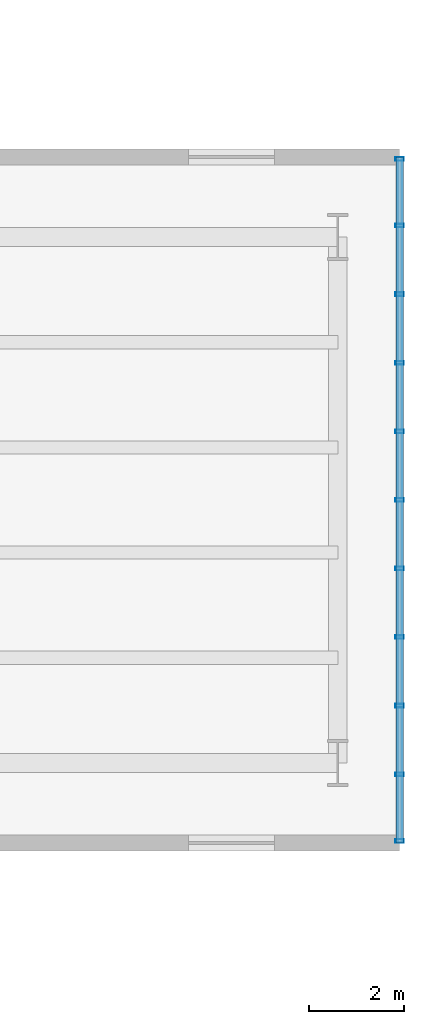
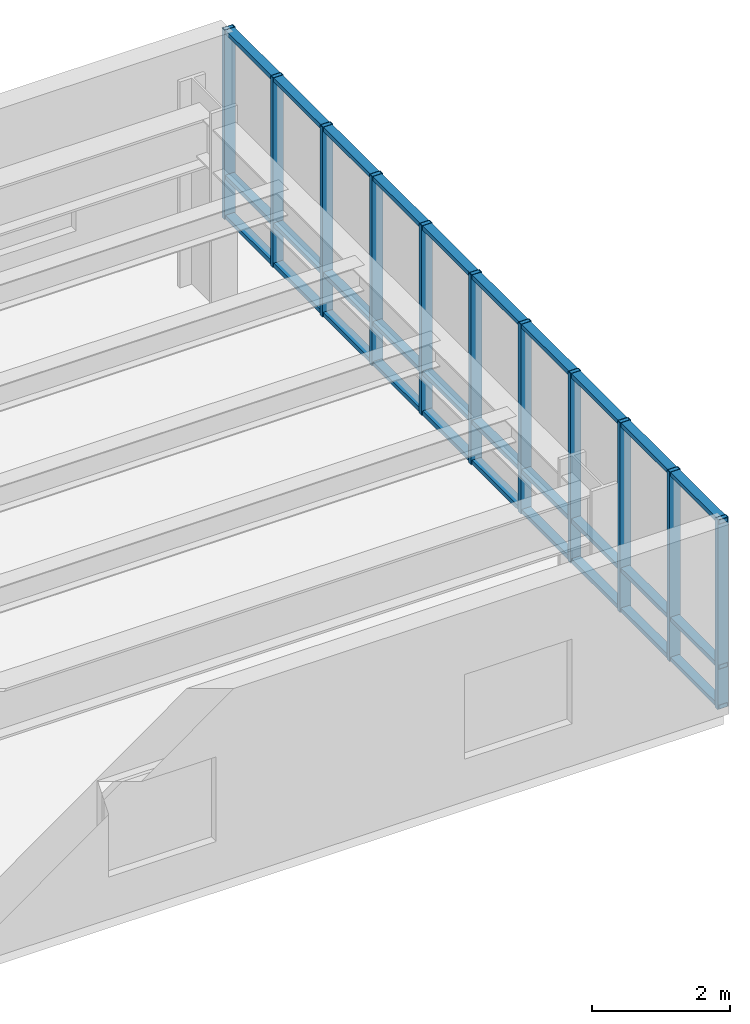
# One storey, part 3 of 10: 14 members, 1 element without a shape of its own.
"""IFC4 building model written with IfcOpenShell, lengths in metres."""

from ifc_helpers import new_model, si_unit, direction, frame, origin, origin_2d, place, context, subcontext, project, spatial, hollow_rectangle, extrude, material, layer, layer_set, material_profile, profile_set, type_object, element, aggregate, save


model = new_model("IFC4")

# Units and contexts
model_context = context("Model", 3, precision=1e-05, world=origin(), true_north=direction((0.0, 1.0)))
body_context = subcontext(model_context, "Body", "Model", "MODEL_VIEW")
ifc_project = project(units=[si_unit("LENGTHUNIT", "METRE"), si_unit("AREAUNIT", "SQUARE_METRE"), si_unit("VOLUMEUNIT", "CUBIC_METRE"), si_unit("PLANEANGLEUNIT", "RADIAN"), si_unit("MASSUNIT", "GRAM", prefix="KILO"), si_unit("THERMODYNAMICTEMPERATUREUNIT", "KELVIN"), si_unit("POWERUNIT", "WATT")], contexts=[model_context])

# Site, building, storey
site_placement = place(None, origin())
site = spatial("IfcSite", under=ifc_project, at=site_placement, CompositionType="ELEMENT")
building_placement = place(site_placement, origin())
building = spatial("IfcBuilding", under=site, at=building_placement, Name="Skarre Station Tower", CompositionType="ELEMENT")
storey_placement = place(building_placement, frame((0.0, 0.0, 56.199951171875)))
storey = spatial("IfcBuildingStorey", under=building, at=storey_placement, Name="L14", CompositionType="ELEMENT", Elevation=56.199951171875)

# Curtain wall, members
ifc_material_1 = material(Name="Thermally Broken Bronze-Anodized Aluminium & Triple Low-E Glass", Category="aluminium")
ifc_layer = layer(ifc_material_1, 0.2099609375, Name="Thermally Broken Bronze-Anodized Aluminium & Triple Low-E Glass")
ifc_layer_set = layer_set([ifc_layer], Name="Thermally Broken Bronze-Anodized Aluminium & Triple Low-E Glass")
curtain_wall_type = type_object("IfcCurtainWallType", Name="Sky-Bar Prow Structural Glazed Curtain Wall", PredefinedType="NOTDEFINED", material=ifc_layer_set)
curtain_wall_placement = place(storey_placement, origin())
curtain_wall = element("IfcCurtainWall", 1, at=curtain_wall_placement, inside=storey, type_object=curtain_wall_type, Name="L14 SB-1 Lakefront Prow Curtain Wall", PredefinedType="NOTDEFINED")
ifc_material_2 = material(Name="Anodized Aluminium 6063-T6", Category="aluminium")
ifc_material_profile_1 = material_profile(ifc_material_2, hollow_rectangle(XDim=0.074951171875, YDim=0.14990234375, WallThickness=0.00390625, at=origin_2d()), Name="Anodized Aluminium 6063-T6")
ifc_profile_set_1 = profile_set([ifc_material_profile_1], Name="Anodized Aluminium 6063-T6")
member_type_1 = type_object("IfcMemberType", Name="Curtain-Wall Secondary Transom 150x75", PredefinedType="USERDEFINED", material=ifc_profile_set_1)
member_1_placement = place(storey_placement, frame((78.863037109375, 31.199951171875, 0.0400390625), z_axis=(0.0, -1.0, 0.0), x_axis=(0.0, 0.0, 1.0)))
member_1 = element("IfcMember", 2, at=member_1_placement, type_object=member_type_1, Name="L14 SB-1 Lakefront Prow Curtain Wall Transom 1", ObjectType="TRANSOM", PredefinedType="USERDEFINED", context=body_context, shape_type="SweptSolid", body=[
    extrude(hollow_rectangle(XDim=0.074951171875, YDim=0.14990234375, WallThickness=0.00390625, at=origin_2d()), origin(), (0.0, 0.0, 1.0), 14.39990234375),
])
member_2_placement = place(storey_placement, frame((78.863037109375, 31.199951171875, 0.75), z_axis=(0.0, -1.0, 0.0), x_axis=(0.0, 0.0, 1.0)))
member_2 = element("IfcMember", 3, at=member_2_placement, type_object=member_type_1, Name="L14 SB-1 Lakefront Prow Curtain Wall Transom 2", ObjectType="TRANSOM", PredefinedType="USERDEFINED", context=body_context, shape_type="SweptSolid", body=[
    extrude(hollow_rectangle(XDim=0.074951171875, YDim=0.14990234375, WallThickness=0.00390625, at=origin_2d()), origin(), (0.0, 0.0, 1.0), 14.39990234375),
])
member_3_placement = place(storey_placement, frame((78.863037109375, 31.199951171875, 3.320068359375), z_axis=(0.0, -1.0, 0.0), x_axis=(0.0, 0.0, 1.0)))
member_3 = element("IfcMember", 4, at=member_3_placement, type_object=member_type_1, Name="L14 SB-1 Lakefront Prow Curtain Wall Transom 3", ObjectType="TRANSOM", PredefinedType="USERDEFINED", context=body_context, shape_type="SweptSolid", body=[
    extrude(hollow_rectangle(XDim=0.074951171875, YDim=0.14990234375, WallThickness=0.00390625, at=origin_2d()), origin(), (0.0, 0.0, 1.0), 14.39990234375),
])
ifc_material_profile_2 = material_profile(ifc_material_2, hollow_rectangle(XDim=0.074951171875, YDim=0.179931640625, WallThickness=0.00390625, at=origin_2d()), Name="Anodized Aluminium 6063-T6")
ifc_profile_set_2 = profile_set([ifc_material_profile_2], Name="Anodized Aluminium 6063-T6")
member_type_2 = type_object("IfcMemberType", Name="Curtain-Wall Unitised Tower Mullion 180x75", PredefinedType="MULLION", material=ifc_profile_set_2)
member_4_placement = place(storey_placement, frame((78.863037109375, 31.159912109375, 0.0), z_axis=(0.0, 0.0, 1.0), x_axis=(0.0, -1.0, 0.0)))
member_4 = element("IfcMember", 5, at=member_4_placement, type_object=member_type_2, Name="L14 SB-1 Lakefront Prow Curtain Wall Mullion 1", PredefinedType="MULLION", context=body_context, shape_type="SweptSolid", body=[
    extrude(hollow_rectangle(XDim=0.074951171875, YDim=0.179931640625, WallThickness=0.00390625, at=origin_2d()), origin(), (0.0, 0.0, 1.0), 3.360107421875),
])
member_5_placement = place(storey_placement, frame((78.863037109375, 29.760009765625, 0.0), z_axis=(0.0, 0.0, 1.0), x_axis=(0.0, -1.0, 0.0)))
member_5 = element("IfcMember", 6, at=member_5_placement, type_object=member_type_2, Name="L14 SB-1 Lakefront Prow Curtain Wall Mullion 2", PredefinedType="MULLION", context=body_context, shape_type="SweptSolid", body=[
    extrude(hollow_rectangle(XDim=0.074951171875, YDim=0.179931640625, WallThickness=0.00390625, at=origin_2d()), origin(), (0.0, 0.0, 1.0), 3.360107421875),
])
member_6_placement = place(storey_placement, frame((78.863037109375, 28.320068359375, 0.0), z_axis=(0.0, 0.0, 1.0), x_axis=(0.0, -1.0, 0.0)))
member_6 = element("IfcMember", 7, at=member_6_placement, type_object=member_type_2, Name="L14 SB-1 Lakefront Prow Curtain Wall Mullion 3", PredefinedType="MULLION", context=body_context, shape_type="SweptSolid", body=[
    extrude(hollow_rectangle(XDim=0.074951171875, YDim=0.179931640625, WallThickness=0.00390625, at=origin_2d()), origin(), (0.0, 0.0, 1.0), 3.360107421875),
])
member_7_placement = place(storey_placement, frame((78.863037109375, 26.8798828125, 0.0), z_axis=(0.0, 0.0, 1.0), x_axis=(0.0, -1.0, 0.0)))
member_7 = element("IfcMember", 8, at=member_7_placement, type_object=member_type_2, Name="L14 SB-1 Lakefront Prow Curtain Wall Mullion 4", PredefinedType="MULLION", context=body_context, shape_type="SweptSolid", body=[
    extrude(hollow_rectangle(XDim=0.074951171875, YDim=0.179931640625, WallThickness=0.00390625, at=origin_2d()), origin(), (0.0, 0.0, 1.0), 3.360107421875),
])
member_8_placement = place(storey_placement, frame((78.863037109375, 25.43994140625, 0.0), z_axis=(0.0, 0.0, 1.0), x_axis=(0.0, -1.0, 0.0)))
member_8 = element("IfcMember", 9, at=member_8_placement, type_object=member_type_2, Name="L14 SB-1 Lakefront Prow Curtain Wall Mullion 5", PredefinedType="MULLION", context=body_context, shape_type="SweptSolid", body=[
    extrude(hollow_rectangle(XDim=0.074951171875, YDim=0.179931640625, WallThickness=0.00390625, at=origin_2d()), origin(), (0.0, 0.0, 1.0), 3.360107421875),
])
member_9_placement = place(storey_placement, frame((78.863037109375, 24.0, 0.0), z_axis=(0.0, 0.0, 1.0), x_axis=(0.0, -1.0, 0.0)))
member_9 = element("IfcMember", 10, at=member_9_placement, type_object=member_type_2, Name="L14 SB-1 Lakefront Prow Curtain Wall Mullion 6", PredefinedType="MULLION", context=body_context, shape_type="SweptSolid", body=[
    extrude(hollow_rectangle(XDim=0.074951171875, YDim=0.179931640625, WallThickness=0.00390625, at=origin_2d()), origin(), (0.0, 0.0, 1.0), 3.360107421875),
])
member_10_placement = place(storey_placement, frame((78.863037109375, 22.56005859375, 0.0), z_axis=(0.0, 0.0, 1.0), x_axis=(0.0, -1.0, 0.0)))
member_10 = element("IfcMember", 11, at=member_10_placement, type_object=member_type_2, Name="L14 SB-1 Lakefront Prow Curtain Wall Mullion 7", PredefinedType="MULLION", context=body_context, shape_type="SweptSolid", body=[
    extrude(hollow_rectangle(XDim=0.074951171875, YDim=0.179931640625, WallThickness=0.00390625, at=origin_2d()), origin(), (0.0, 0.0, 1.0), 3.360107421875),
])
member_11_placement = place(storey_placement, frame((78.863037109375, 21.1201171875, 0.0), z_axis=(0.0, 0.0, 1.0), x_axis=(0.0, -1.0, 0.0)))
member_11 = element("IfcMember", 12, at=member_11_placement, type_object=member_type_2, Name="L14 SB-1 Lakefront Prow Curtain Wall Mullion 8", PredefinedType="MULLION", context=body_context, shape_type="SweptSolid", body=[
    extrude(hollow_rectangle(XDim=0.074951171875, YDim=0.179931640625, WallThickness=0.00390625, at=origin_2d()), origin(), (0.0, 0.0, 1.0), 3.360107421875),
])
member_12_placement = place(storey_placement, frame((78.863037109375, 19.679931640625, 0.0), z_axis=(0.0, 0.0, 1.0), x_axis=(0.0, -1.0, 0.0)))
member_12 = element("IfcMember", 13, at=member_12_placement, type_object=member_type_2, Name="L14 SB-1 Lakefront Prow Curtain Wall Mullion 9", PredefinedType="MULLION", context=body_context, shape_type="SweptSolid", body=[
    extrude(hollow_rectangle(XDim=0.074951171875, YDim=0.179931640625, WallThickness=0.00390625, at=origin_2d()), origin(), (0.0, 0.0, 1.0), 3.360107421875),
])
member_13_placement = place(storey_placement, frame((78.863037109375, 18.239990234375, 0.0), z_axis=(0.0, 0.0, 1.0), x_axis=(0.0, -1.0, 0.0)))
member_13 = element("IfcMember", 14, at=member_13_placement, type_object=member_type_2, Name="L14 SB-1 Lakefront Prow Curtain Wall Mullion 10", PredefinedType="MULLION", context=body_context, shape_type="SweptSolid", body=[
    extrude(hollow_rectangle(XDim=0.074951171875, YDim=0.179931640625, WallThickness=0.00390625, at=origin_2d()), origin(), (0.0, 0.0, 1.0), 3.360107421875),
])
member_14_placement = place(storey_placement, frame((78.863037109375, 16.840087890625, 0.0), z_axis=(0.0, 0.0, 1.0), x_axis=(0.0, -1.0, 0.0)))
member_14 = element("IfcMember", 15, at=member_14_placement, type_object=member_type_2, Name="L14 SB-1 Lakefront Prow Curtain Wall Mullion 11", PredefinedType="MULLION", context=body_context, shape_type="SweptSolid", body=[
    extrude(hollow_rectangle(XDim=0.074951171875, YDim=0.179931640625, WallThickness=0.00390625, at=origin_2d()), origin(), (0.0, 0.0, 1.0), 3.360107421875),
])
aggregate(curtain_wall, [member_4, member_5, member_6, member_7, member_8, member_9, member_10, member_11, member_12, member_13, member_14, member_1, member_2, member_3])

save(model, "model.ifc")
